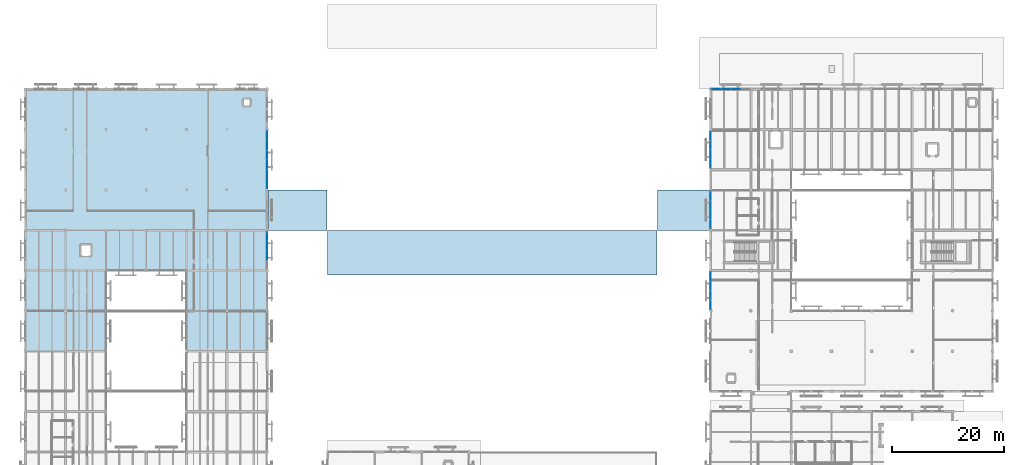
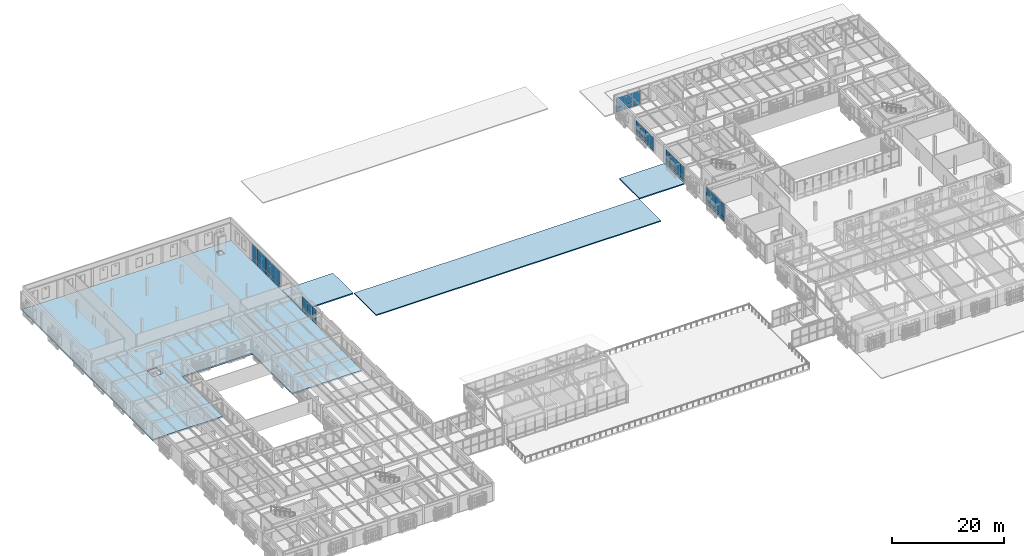
# One storey, part 74 of 112: 48 plates, 4 slabs, 6 elements without a shape of their own.
"""IFC4 building model written with IfcOpenShell, lengths in metres."""

from ifc_helpers import new_model, si_unit, direction, frame, origin, origin_2d, place, context, subcontext, project, spatial, polyline, rectangle, outline, extrude, material, layer, layer_set, type_object, element, aggregate, save


model = new_model("IFC4")

# Units and contexts
model_context = context("Model", 3, precision=1e-05, world=origin(), true_north=direction((0.0, 1.0)))
body_context = subcontext(model_context, "Body", "Model", "MODEL_VIEW")
ifc_project = project(units=[si_unit("LENGTHUNIT", "METRE"), si_unit("AREAUNIT", "SQUARE_METRE"), si_unit("VOLUMEUNIT", "CUBIC_METRE"), si_unit("PLANEANGLEUNIT", "RADIAN"), si_unit("MASSUNIT", "GRAM", prefix="KILO")], contexts=[model_context])

# Site, building, storey
site_placement = place(None, origin())
site = spatial("IfcSite", under=ifc_project, at=site_placement, CompositionType="ELEMENT")
building_placement = place(site_placement, origin())
building = spatial("IfcBuilding", under=site, at=building_placement, Name="Mazaris Harbour Polytechnic", CompositionType="ELEMENT")
storey_placement = place(building_placement, frame((0.0, 0.0, 13.800048828125)))
storey = spatial("IfcBuildingStorey", under=building, at=storey_placement, Name="L03", CompositionType="ELEMENT", Elevation=13.800048828125)

# Slabs
ifc_material_1 = material(Name="Glulam GL28h and Concrete C30/37", Category="concrete")
ifc_layer_1 = layer(ifc_material_1, 0.31005859375, Name="Glulam GL28h and Concrete C30/37")
ifc_layer_set_1 = layer_set([ifc_layer_1], Name="Glulam GL28h and Concrete C30/37")
slab_type_1 = type_object("IfcSlabType", Name="CLT Library Stack Floor 310", PredefinedType="FLOOR", material=ifc_layer_set_1)
slab_1_placement = place(storey_placement, frame((0.0, 0.0, -0.31005859375)))
element("IfcSlab", 1, at=slab_1_placement, inside=storey, type_object=slab_type_1, Name="V4 L03 Floor Slab", PredefinedType="FLOOR", context=body_context, shape_type="SweptSolid", body=[
    extrude(outline(polyline([(43.199951171875, 54.0), (28.800048828125, 54.0), (28.800048828125, 68.39990234375), (14.39990234375, 68.39990234375), (14.39990234375, 54.0), (0.0, 54.0), (0.0, 100.800048828125), (43.199951171875, 100.800048828125), (43.199951171875, 54.0)]), holes=[polyline([(11.800048828125, 70.89990234375), (11.800048828125, 73.10009765625), (9.800048828125, 73.10009765625), (9.800048828125, 70.89990234375), (11.800048828125, 70.89990234375)]), polyline([(38.97998046875, 99.0), (38.97998046875, 97.8798828125), (40.10009765625, 97.8798828125), (40.10009765625, 99.0), (38.97998046875, 99.0)])]), origin(), (0.0, 0.0, 1.0), 0.31005859375),
])
ifc_material_2 = material(Name="Glulam GL28h and Concrete C30/37", Category="concrete")
ifc_layer_2 = layer(ifc_material_2, 0.239990234375, Name="Glulam GL28h and Concrete C30/37")
ifc_layer_set_2 = layer_set([ifc_layer_2], Name="Glulam GL28h and Concrete C30/37")
slab_type_2 = type_object("IfcSlabType", Name="Insulated Flat Roof Slab 240", PredefinedType="ROOF", material=ifc_layer_set_2)
slab_2_placement = place(storey_placement, frame((0.0, 0.0, -0.239990234375)))
element("IfcSlab", 2, at=slab_2_placement, inside=storey, type_object=slab_type_2, Name="PB-W2 Covered Passage Roof", PredefinedType="ROOF", context=body_context, shape_type="SweptSolid", body=[
    extrude(outline(polyline([(53.85009765625, 75.60009765625), (53.85009765625, 82.800048828125), (43.35009765625, 82.800048828125), (43.35009765625, 75.60009765625), (53.85009765625, 75.60009765625)])), origin(), (0.0, 0.0, 1.0), 0.239990234375),
])
slab_3_placement = place(storey_placement, frame((0.0, 0.0, -0.239990234375)))
element("IfcSlab", 3, at=slab_3_placement, inside=storey, type_object=slab_type_2, Name="PB-E2 Covered Passage Roof", PredefinedType="ROOF", context=body_context, shape_type="SweptSolid", body=[
    extrude(outline(polyline([(122.25, 75.60009765625), (122.25, 82.800048828125), (112.949951171875, 82.800048828125), (112.949951171875, 75.60009765625), (122.25, 75.60009765625)])), origin(), (0.0, 0.0, 1.0), 0.239990234375),
])

# Curtain wall, plates
ifc_material_3 = material(Name="Anodised Bronze Aluminium and Low-E Glass", Category="aluminium")
ifc_layer_3 = layer(ifc_material_3, 0.159912109375, Name="Anodised Bronze Aluminium and Low-E Glass")
ifc_layer_set_3 = layer_set([ifc_layer_3], Name="Anodised Bronze Aluminium and Low-E Glass")
curtain_wall_type_1 = type_object("IfcCurtainWallType", Name="Cloister Court Curtain Wall", PredefinedType="NOTDEFINED", material=ifc_layer_set_3)
curtain_wall_1_placement = place(storey_placement, origin())
curtain_wall_1 = element("IfcCurtainWall", 4, at=curtain_wall_1_placement, inside=storey, type_object=curtain_wall_type_1, Name="V4 L03 Curtain Wall 148", PredefinedType="NOTDEFINED")
ifc_material_4 = material(Name="Low-E Double Glazing", Category="glass")
ifc_layer_4 = layer(ifc_material_4, 0.028076171875, Name="Low-E Double Glazing")
ifc_layer_set_4 = layer_set([ifc_layer_4], Name="Low-E Double Glazing")
plate_type_1 = type_object("IfcPlateType", Name="Low-E Vision Glass Panel 28", PredefinedType="CURTAIN_PANEL", material=ifc_layer_set_4)
plate_1_placement = place(storey_placement, frame((43.199951171875, 74.49609375, 0.079833984375), z_axis=(0.0, 0.0, 1.0), x_axis=(0.0, -1.0, 0.0)))
plate_1 = element("IfcPlate", 5, at=plate_1_placement, type_object=plate_type_1, Name="CW-02 panel 1.1", PredefinedType="CURTAIN_PANEL", context=body_context, shape_type="SweptSolid", body=[
    extrude(rectangle(XDim=1.56396484375, YDim=0.028076171875, at=origin_2d()), origin(), (0.0, 0.0, 1.0), 0.830078125),
])
plate_2_placement = place(storey_placement, frame((43.199951171875, 74.49609375, 0.98974609375), z_axis=(0.0, 0.0, 1.0), x_axis=(0.0, -1.0, 0.0)))
plate_2 = element("IfcPlate", 6, at=plate_2_placement, type_object=plate_type_1, Name="CW-02 panel 1.2", PredefinedType="CURTAIN_PANEL", context=body_context, shape_type="SweptSolid", body=[
    extrude(rectangle(XDim=1.56396484375, YDim=0.028076171875, at=origin_2d()), origin(), (0.0, 0.0, 1.0), 2.260009765625),
])
plate_3_placement = place(storey_placement, frame((43.199951171875, 72.83203125, 0.079833984375), z_axis=(0.0, 0.0, 1.0), x_axis=(0.0, -1.0, 0.0)))
plate_3 = element("IfcPlate", 7, at=plate_3_placement, type_object=plate_type_1, Name="CW-02 panel 2.1", PredefinedType="CURTAIN_PANEL", context=body_context, shape_type="SweptSolid", body=[
    extrude(rectangle(XDim=1.60400390625, YDim=0.028076171875, at=origin_2d()), origin(), (0.0, 0.0, 1.0), 0.830078125),
])
plate_4_placement = place(storey_placement, frame((43.199951171875, 72.83203125, 0.98974609375), z_axis=(0.0, 0.0, 1.0), x_axis=(0.0, -1.0, 0.0)))
plate_4 = element("IfcPlate", 8, at=plate_4_placement, type_object=plate_type_1, Name="CW-02 panel 2.2", PredefinedType="CURTAIN_PANEL", context=body_context, shape_type="SweptSolid", body=[
    extrude(rectangle(XDim=1.60400390625, YDim=0.028076171875, at=origin_2d()), origin(), (0.0, 0.0, 1.0), 2.260009765625),
])
plate_5_placement = place(storey_placement, frame((43.199951171875, 71.14794921875, 0.079833984375), z_axis=(0.0, 0.0, 1.0), x_axis=(0.0, -1.0, 0.0)))
plate_5 = element("IfcPlate", 9, at=plate_5_placement, type_object=plate_type_1, Name="CW-02 panel 3.1", PredefinedType="CURTAIN_PANEL", context=body_context, shape_type="SweptSolid", body=[
    extrude(rectangle(XDim=1.60400390625, YDim=0.028076171875, at=origin_2d()), origin(), (0.0, 0.0, 1.0), 0.830078125),
])
plate_6_placement = place(storey_placement, frame((43.199951171875, 71.14794921875, 0.98974609375), z_axis=(0.0, 0.0, 1.0), x_axis=(0.0, -1.0, 0.0)))
plate_6 = element("IfcPlate", 10, at=plate_6_placement, type_object=plate_type_1, Name="CW-02 panel 3.2", PredefinedType="CURTAIN_PANEL", context=body_context, shape_type="SweptSolid", body=[
    extrude(rectangle(XDim=1.60400390625, YDim=0.028076171875, at=origin_2d()), origin(), (0.0, 0.0, 1.0), 2.260009765625),
])
aggregate(curtain_wall_1, [plate_1, plate_2, plate_3, plate_4, plate_5, plate_6])

curtain_wall_2_placement = place(storey_placement, origin())
curtain_wall_2 = element("IfcCurtainWall", 11, at=curtain_wall_2_placement, inside=storey, type_object=curtain_wall_type_1, Name="V4 L03 Curtain Wall 149", PredefinedType="NOTDEFINED")
plate_7_placement = place(storey_placement, frame((43.199951171875, 92.459228515625, 0.079833984375), z_axis=(0.0, 0.0, 1.0), x_axis=(0.0, -1.0, 0.0)))
plate_7 = element("IfcPlate", 12, at=plate_7_placement, type_object=plate_type_1, Name="CW-02 panel 1.1", PredefinedType="CURTAIN_PANEL", context=body_context, shape_type="SweptSolid", body=[
    extrude(rectangle(XDim=1.59765625, YDim=0.028076171875, at=origin_2d()), origin(), (0.0, 0.0, 1.0), 0.830078125),
])
plate_8_placement = place(storey_placement, frame((43.199951171875, 92.459228515625, 0.989990234375), z_axis=(0.0, 0.0, 1.0), x_axis=(0.0, -1.0, 0.0)))
plate_8 = element("IfcPlate", 13, at=plate_8_placement, type_object=plate_type_1, Name="CW-02 panel 1.2", PredefinedType="CURTAIN_PANEL", context=body_context, shape_type="SweptSolid", body=[
    extrude(rectangle(XDim=1.59765625, YDim=0.028076171875, at=origin_2d()), origin(), (0.0, 0.0, 1.0), 2.85009765625),
])
plate_9_placement = place(storey_placement, frame((43.199951171875, 90.761474609375, 0.079833984375), z_axis=(0.0, 0.0, 1.0), x_axis=(0.0, -1.0, 0.0)))
plate_9 = element("IfcPlate", 14, at=plate_9_placement, type_object=plate_type_1, Name="CW-02 panel 2.1", PredefinedType="CURTAIN_PANEL", context=body_context, shape_type="SweptSolid", body=[
    extrude(rectangle(XDim=1.6376953125, YDim=0.028076171875, at=origin_2d()), origin(), (0.0, 0.0, 1.0), 0.830078125),
])
plate_10_placement = place(storey_placement, frame((43.199951171875, 90.761474609375, 0.989990234375), z_axis=(0.0, 0.0, 1.0), x_axis=(0.0, -1.0, 0.0)))
plate_10 = element("IfcPlate", 15, at=plate_10_placement, type_object=plate_type_1, Name="CW-02 panel 2.2", PredefinedType="CURTAIN_PANEL", context=body_context, shape_type="SweptSolid", body=[
    extrude(rectangle(XDim=1.6376953125, YDim=0.028076171875, at=origin_2d()), origin(), (0.0, 0.0, 1.0), 2.85009765625),
])
plate_11_placement = place(storey_placement, frame((43.199951171875, 89.0439453125, 0.079833984375), z_axis=(0.0, 0.0, 1.0), x_axis=(0.0, -1.0, 0.0)))
plate_11 = element("IfcPlate", 16, at=plate_11_placement, type_object=plate_type_1, Name="CW-02 panel 3.1", PredefinedType="CURTAIN_PANEL", context=body_context, shape_type="SweptSolid", body=[
    extrude(rectangle(XDim=1.6376953125, YDim=0.028076171875, at=origin_2d()), origin(), (0.0, 0.0, 1.0), 0.830078125),
])
plate_12_placement = place(storey_placement, frame((43.199951171875, 89.0439453125, 0.989990234375), z_axis=(0.0, 0.0, 1.0), x_axis=(0.0, -1.0, 0.0)))
plate_12 = element("IfcPlate", 17, at=plate_12_placement, type_object=plate_type_1, Name="CW-02 panel 3.2", PredefinedType="CURTAIN_PANEL", context=body_context, shape_type="SweptSolid", body=[
    extrude(rectangle(XDim=1.6376953125, YDim=0.028076171875, at=origin_2d()), origin(), (0.0, 0.0, 1.0), 2.85009765625),
])
plate_13_placement = place(storey_placement, frame((43.199951171875, 87.326171875, 0.079833984375), z_axis=(0.0, 0.0, 1.0), x_axis=(0.0, -1.0, 0.0)))
plate_13 = element("IfcPlate", 18, at=plate_13_placement, type_object=plate_type_1, Name="CW-02 panel 4.1", PredefinedType="CURTAIN_PANEL", context=body_context, shape_type="SweptSolid", body=[
    extrude(rectangle(XDim=1.6376953125, YDim=0.028076171875, at=origin_2d()), origin(), (0.0, 0.0, 1.0), 0.830078125),
])
plate_14_placement = place(storey_placement, frame((43.199951171875, 87.326171875, 0.989990234375), z_axis=(0.0, 0.0, 1.0), x_axis=(0.0, -1.0, 0.0)))
plate_14 = element("IfcPlate", 19, at=plate_14_placement, type_object=plate_type_1, Name="CW-02 panel 4.2", PredefinedType="CURTAIN_PANEL", context=body_context, shape_type="SweptSolid", body=[
    extrude(rectangle(XDim=1.6376953125, YDim=0.028076171875, at=origin_2d()), origin(), (0.0, 0.0, 1.0), 2.85009765625),
])
plate_15_placement = place(storey_placement, frame((43.199951171875, 85.6083984375, 0.079833984375), z_axis=(0.0, 0.0, 1.0), x_axis=(0.0, -1.0, 0.0)))
plate_15 = element("IfcPlate", 20, at=plate_15_placement, type_object=plate_type_1, Name="CW-02 panel 5.1", PredefinedType="CURTAIN_PANEL", context=body_context, shape_type="SweptSolid", body=[
    extrude(rectangle(XDim=1.6376953125, YDim=0.028076171875, at=origin_2d()), origin(), (0.0, 0.0, 1.0), 0.830078125),
])
plate_16_placement = place(storey_placement, frame((43.199951171875, 85.6083984375, 0.989990234375), z_axis=(0.0, 0.0, 1.0), x_axis=(0.0, -1.0, 0.0)))
plate_16 = element("IfcPlate", 21, at=plate_16_placement, type_object=plate_type_1, Name="CW-02 panel 5.2", PredefinedType="CURTAIN_PANEL", context=body_context, shape_type="SweptSolid", body=[
    extrude(rectangle(XDim=1.6376953125, YDim=0.028076171875, at=origin_2d()), origin(), (0.0, 0.0, 1.0), 2.85009765625),
])
plate_17_placement = place(storey_placement, frame((43.199951171875, 83.910888671875, 0.079833984375), z_axis=(0.0, 0.0, 1.0), x_axis=(0.0, -1.0, 0.0)))
plate_17 = element("IfcPlate", 22, at=plate_17_placement, type_object=plate_type_1, Name="CW-02 panel 6.1", PredefinedType="CURTAIN_PANEL", context=body_context, shape_type="SweptSolid", body=[
    extrude(rectangle(XDim=1.59765625, YDim=0.028076171875, at=origin_2d()), origin(), (0.0, 0.0, 1.0), 0.830078125),
])
plate_18_placement = place(storey_placement, frame((43.199951171875, 83.910888671875, 0.989990234375), z_axis=(0.0, 0.0, 1.0), x_axis=(0.0, -1.0, 0.0)))
plate_18 = element("IfcPlate", 23, at=plate_18_placement, type_object=plate_type_1, Name="CW-02 panel 6.2", PredefinedType="CURTAIN_PANEL", context=body_context, shape_type="SweptSolid", body=[
    extrude(rectangle(XDim=1.59765625, YDim=0.028076171875, at=origin_2d()), origin(), (0.0, 0.0, 1.0), 2.85009765625),
])
aggregate(curtain_wall_2, [plate_7, plate_8, plate_9, plate_10, plate_11, plate_12, plate_13, plate_14, plate_15, plate_16, plate_17, plate_18])

# Slab
ifc_material_5 = material(Name="Glulam GL28h", Category="wood")
ifc_layer_5 = layer(ifc_material_5, 0.219970703125, Name="Glulam GL28h")
ifc_layer_set_5 = layer_set([ifc_layer_5], Name="Glulam GL28h")
slab_type_3 = type_object("IfcSlabType", Name="Pitched Workshop Roof Deck 220", PredefinedType="ROOF", material=ifc_layer_set_5)
slab_4_placement = place(storey_placement, frame((0.0, 0.0, -0.219970703125)))
element("IfcSlab", 24, at=slab_4_placement, inside=storey, type_object=slab_type_3, Name="V1 South 8m Overhanging Eave", PredefinedType="ROOF", context=body_context, shape_type="SweptSolid", body=[
    extrude(outline(polyline([(112.800048828125, 67.64990234375), (112.800048828125, 75.56005859375), (54.0, 75.56005859375), (54.0, 67.64990234375), (112.800048828125, 67.64990234375)])), origin(), (0.0, 0.0, 1.0), 0.219970703125),
])

# Curtain wall, plates
ifc_material_6 = material(Name="Anodised Bronze Aluminium and Low-E Glass", Category="aluminium")
ifc_layer_6 = layer(ifc_material_6, 0.169921875, Name="Anodised Bronze Aluminium and Low-E Glass")
ifc_layer_set_6 = layer_set([ifc_layer_6], Name="Anodised Bronze Aluminium and Low-E Glass")
curtain_wall_type_2 = type_object("IfcCurtainWallType", Name="Studio North-Light Curtain Wall", PredefinedType="NOTDEFINED", material=ifc_layer_set_6)
curtain_wall_3_placement = place(storey_placement, origin())
curtain_wall_3 = element("IfcCurtainWall", 25, at=curtain_wall_3_placement, inside=storey, type_object=curtain_wall_type_2, Name="V5 L03 Curtain Wall 249", PredefinedType="NOTDEFINED")
ifc_material_7 = material(Name="Solar-Control Low-E Glazing", Category="glass")
ifc_layer_7 = layer(ifc_material_7, 0.031982421875, Name="Solar-Control Low-E Glazing")
ifc_layer_set_7 = layer_set([ifc_layer_7], Name="Solar-Control Low-E Glazing")
plate_type_2 = type_object("IfcPlateType", Name="Solar Control Studio Glass Panel 32", PredefinedType="CURTAIN_PANEL", material=ifc_layer_set_7)
plate_19_placement = place(storey_placement, frame((123.43896484375, 100.800048828125, 0.079833984375), z_axis=(0.0, 0.0, 1.0), x_axis=(1.0, 0.0, 0.0)))
plate_19 = element("IfcPlate", 26, at=plate_19_placement, type_object=plate_type_2, Name="CW-03 panel 1.1", PredefinedType="CURTAIN_PANEL", context=body_context, shape_type="SweptSolid", body=[
    extrude(rectangle(XDim=1.593994140625, YDim=0.031982421875, at=origin_2d()), origin(), (0.0, 0.0, 1.0), 0.830078125),
])
plate_20_placement = place(storey_placement, frame((123.43896484375, 100.800048828125, 0.98974609375), z_axis=(0.0, 0.0, 1.0), x_axis=(1.0, 0.0, 0.0)))
plate_20 = element("IfcPlate", 27, at=plate_20_placement, type_object=plate_type_2, Name="CW-03 panel 1.2", PredefinedType="CURTAIN_PANEL", context=body_context, shape_type="SweptSolid", body=[
    extrude(rectangle(XDim=1.593994140625, YDim=0.031982421875, at=origin_2d()), origin(), (0.0, 0.0, 1.0), 2.175048828125),
])
plate_21_placement = place(storey_placement, frame((125.133056640625, 100.800048828125, 0.079833984375), z_axis=(0.0, 0.0, 1.0), x_axis=(1.0, 0.0, 0.0)))
plate_21 = element("IfcPlate", 28, at=plate_21_placement, type_object=plate_type_2, Name="CW-03 panel 2.1", PredefinedType="CURTAIN_PANEL", context=body_context, shape_type="SweptSolid", body=[
    extrude(rectangle(XDim=1.634033203125, YDim=0.031982421875, at=origin_2d()), origin(), (0.0, 0.0, 1.0), 0.830078125),
])
plate_22_placement = place(storey_placement, frame((125.133056640625, 100.800048828125, 0.98974609375), z_axis=(0.0, 0.0, 1.0), x_axis=(1.0, 0.0, 0.0)))
plate_22 = element("IfcPlate", 29, at=plate_22_placement, type_object=plate_type_2, Name="CW-03 panel 2.2", PredefinedType="CURTAIN_PANEL", context=body_context, shape_type="SweptSolid", body=[
    extrude(rectangle(XDim=1.634033203125, YDim=0.031982421875, at=origin_2d()), origin(), (0.0, 0.0, 1.0), 2.175048828125),
])
plate_23_placement = place(storey_placement, frame((126.846923828125, 100.800048828125, 0.079833984375), z_axis=(0.0, 0.0, 1.0), x_axis=(1.0, 0.0, 0.0)))
plate_23 = element("IfcPlate", 30, at=plate_23_placement, type_object=plate_type_2, Name="CW-03 panel 3.1", PredefinedType="CURTAIN_PANEL", context=body_context, shape_type="SweptSolid", body=[
    extrude(rectangle(XDim=1.634033203125, YDim=0.031982421875, at=origin_2d()), origin(), (0.0, 0.0, 1.0), 0.830078125),
])
plate_24_placement = place(storey_placement, frame((126.846923828125, 100.800048828125, 0.98974609375), z_axis=(0.0, 0.0, 1.0), x_axis=(1.0, 0.0, 0.0)))
plate_24 = element("IfcPlate", 31, at=plate_24_placement, type_object=plate_type_2, Name="CW-03 panel 3.2", PredefinedType="CURTAIN_PANEL", context=body_context, shape_type="SweptSolid", body=[
    extrude(rectangle(XDim=1.634033203125, YDim=0.031982421875, at=origin_2d()), origin(), (0.0, 0.0, 1.0), 2.175048828125),
])
aggregate(curtain_wall_3, [plate_19, plate_20, plate_21, plate_22, plate_23, plate_24])

curtain_wall_4_placement = place(storey_placement, origin())
curtain_wall_4 = element("IfcCurtainWall", 32, at=curtain_wall_4_placement, inside=storey, type_object=curtain_wall_type_2, Name="V5 L03 Curtain Wall 254", PredefinedType="NOTDEFINED")
plate_25_placement = place(storey_placement, frame((122.39990234375, 62.26904296875, 0.079833984375), z_axis=(0.0, 0.0, 1.0), x_axis=(0.0, 1.0, 0.0)))
plate_25 = element("IfcPlate", 33, at=plate_25_placement, type_object=plate_type_2, Name="CW-03 panel 1.1", PredefinedType="CURTAIN_PANEL", context=body_context, shape_type="SweptSolid", body=[
    extrude(rectangle(XDim=1.573974609375, YDim=0.031982421875, at=origin_2d()), origin(), (0.0, 0.0, 1.0), 0.830078125),
])
plate_26_placement = place(storey_placement, frame((122.39990234375, 62.26904296875, 0.98974609375), z_axis=(0.0, 0.0, 1.0), x_axis=(0.0, 1.0, 0.0)))
plate_26 = element("IfcPlate", 34, at=plate_26_placement, type_object=plate_type_2, Name="CW-03 panel 1.2", PredefinedType="CURTAIN_PANEL", context=body_context, shape_type="SweptSolid", body=[
    extrude(rectangle(XDim=1.573974609375, YDim=0.031982421875, at=origin_2d()), origin(), (0.0, 0.0, 1.0), 2.864990234375),
])
plate_27_placement = place(storey_placement, frame((122.39990234375, 63.943115234375, 0.079833984375), z_axis=(0.0, 0.0, 1.0), x_axis=(0.0, 1.0, 0.0)))
plate_27 = element("IfcPlate", 35, at=plate_27_placement, type_object=plate_type_2, Name="CW-03 panel 2.1", PredefinedType="CURTAIN_PANEL", context=body_context, shape_type="SweptSolid", body=[
    extrude(rectangle(XDim=1.614013671875, YDim=0.031982421875, at=origin_2d()), origin(), (0.0, 0.0, 1.0), 0.830078125),
])
plate_28_placement = place(storey_placement, frame((122.39990234375, 63.943115234375, 0.98974609375), z_axis=(0.0, 0.0, 1.0), x_axis=(0.0, 1.0, 0.0)))
plate_28 = element("IfcPlate", 36, at=plate_28_placement, type_object=plate_type_2, Name="CW-03 panel 2.2", PredefinedType="CURTAIN_PANEL", context=body_context, shape_type="SweptSolid", body=[
    extrude(rectangle(XDim=1.614013671875, YDim=0.031982421875, at=origin_2d()), origin(), (0.0, 0.0, 1.0), 2.864990234375),
])
plate_29_placement = place(storey_placement, frame((122.39990234375, 65.636962890625, 0.079833984375), z_axis=(0.0, 0.0, 1.0), x_axis=(0.0, 1.0, 0.0)))
plate_29 = element("IfcPlate", 37, at=plate_29_placement, type_object=plate_type_2, Name="CW-03 panel 3.1", PredefinedType="CURTAIN_PANEL", context=body_context, shape_type="SweptSolid", body=[
    extrude(rectangle(XDim=1.614013671875, YDim=0.031982421875, at=origin_2d()), origin(), (0.0, 0.0, 1.0), 0.830078125),
])
plate_30_placement = place(storey_placement, frame((122.39990234375, 65.636962890625, 0.98974609375), z_axis=(0.0, 0.0, 1.0), x_axis=(0.0, 1.0, 0.0)))
plate_30 = element("IfcPlate", 38, at=plate_30_placement, type_object=plate_type_2, Name="CW-03 panel 3.2", PredefinedType="CURTAIN_PANEL", context=body_context, shape_type="SweptSolid", body=[
    extrude(rectangle(XDim=1.614013671875, YDim=0.031982421875, at=origin_2d()), origin(), (0.0, 0.0, 1.0), 2.864990234375),
])
plate_31_placement = place(storey_placement, frame((122.39990234375, 67.31103515625, 0.079833984375), z_axis=(0.0, 0.0, 1.0), x_axis=(0.0, 1.0, 0.0)))
plate_31 = element("IfcPlate", 39, at=plate_31_placement, type_object=plate_type_2, Name="CW-03 panel 4.1", PredefinedType="CURTAIN_PANEL", context=body_context, shape_type="SweptSolid", body=[
    extrude(rectangle(XDim=1.573974609375, YDim=0.031982421875, at=origin_2d()), origin(), (0.0, 0.0, 1.0), 0.830078125),
])
plate_32_placement = place(storey_placement, frame((122.39990234375, 67.31103515625, 0.98974609375), z_axis=(0.0, 0.0, 1.0), x_axis=(0.0, 1.0, 0.0)))
plate_32 = element("IfcPlate", 40, at=plate_32_placement, type_object=plate_type_2, Name="CW-03 panel 4.2", PredefinedType="CURTAIN_PANEL", context=body_context, shape_type="SweptSolid", body=[
    extrude(rectangle(XDim=1.573974609375, YDim=0.031982421875, at=origin_2d()), origin(), (0.0, 0.0, 1.0), 2.864990234375),
])
aggregate(curtain_wall_4, [plate_25, plate_26, plate_27, plate_28, plate_29, plate_30, plate_31, plate_32])

curtain_wall_5_placement = place(storey_placement, origin())
curtain_wall_5 = element("IfcCurtainWall", 41, at=curtain_wall_5_placement, inside=storey, type_object=curtain_wall_type_2, Name="V5 L03 Curtain Wall 255", PredefinedType="NOTDEFINED")
plate_33_placement = place(storey_placement, frame((122.39990234375, 76.70263671875, 0.079833984375), z_axis=(0.0, 0.0, 1.0), x_axis=(0.0, 1.0, 0.0)))
plate_33 = element("IfcPlate", 42, at=plate_33_placement, type_object=plate_type_2, Name="CW-03 panel 1.1", PredefinedType="CURTAIN_PANEL", context=body_context, shape_type="SweptSolid", body=[
    extrude(rectangle(XDim=1.5615234375, YDim=0.031982421875, at=origin_2d()), origin(), (0.0, 0.0, 1.0), 0.830078125),
])
plate_34_placement = place(storey_placement, frame((122.39990234375, 76.70263671875, 0.989990234375), z_axis=(0.0, 0.0, 1.0), x_axis=(0.0, 1.0, 0.0)))
plate_34 = element("IfcPlate", 43, at=plate_34_placement, type_object=plate_type_2, Name="CW-03 panel 1.2", PredefinedType="CURTAIN_PANEL", context=body_context, shape_type="SweptSolid", body=[
    extrude(rectangle(XDim=1.5615234375, YDim=0.031982421875, at=origin_2d()), origin(), (0.0, 0.0, 1.0), 2.27490234375),
])
plate_35_placement = place(storey_placement, frame((122.39990234375, 78.3642578125, 0.079833984375), z_axis=(0.0, 0.0, 1.0), x_axis=(0.0, 1.0, 0.0)))
plate_35 = element("IfcPlate", 44, at=plate_35_placement, type_object=plate_type_2, Name="CW-03 panel 2.1", PredefinedType="CURTAIN_PANEL", context=body_context, shape_type="SweptSolid", body=[
    extrude(rectangle(XDim=1.6015625, YDim=0.031982421875, at=origin_2d()), origin(), (0.0, 0.0, 1.0), 0.830078125),
])
plate_36_placement = place(storey_placement, frame((122.39990234375, 78.3642578125, 0.989990234375), z_axis=(0.0, 0.0, 1.0), x_axis=(0.0, 1.0, 0.0)))
plate_36 = element("IfcPlate", 45, at=plate_36_placement, type_object=plate_type_2, Name="CW-03 panel 2.2", PredefinedType="CURTAIN_PANEL", context=body_context, shape_type="SweptSolid", body=[
    extrude(rectangle(XDim=1.6015625, YDim=0.031982421875, at=origin_2d()), origin(), (0.0, 0.0, 1.0), 2.27490234375),
])
plate_37_placement = place(storey_placement, frame((122.39990234375, 80.045654296875, 0.079833984375), z_axis=(0.0, 0.0, 1.0), x_axis=(0.0, 1.0, 0.0)))
plate_37 = element("IfcPlate", 46, at=plate_37_placement, type_object=plate_type_2, Name="CW-03 panel 3.1", PredefinedType="CURTAIN_PANEL", context=body_context, shape_type="SweptSolid", body=[
    extrude(rectangle(XDim=1.6015625, YDim=0.031982421875, at=origin_2d()), origin(), (0.0, 0.0, 1.0), 0.830078125),
])
plate_38_placement = place(storey_placement, frame((122.39990234375, 80.045654296875, 0.989990234375), z_axis=(0.0, 0.0, 1.0), x_axis=(0.0, 1.0, 0.0)))
plate_38 = element("IfcPlate", 47, at=plate_38_placement, type_object=plate_type_2, Name="CW-03 panel 3.2", PredefinedType="CURTAIN_PANEL", context=body_context, shape_type="SweptSolid", body=[
    extrude(rectangle(XDim=1.6015625, YDim=0.031982421875, at=origin_2d()), origin(), (0.0, 0.0, 1.0), 2.27490234375),
])
plate_39_placement = place(storey_placement, frame((122.39990234375, 81.707275390625, 0.079833984375), z_axis=(0.0, 0.0, 1.0), x_axis=(0.0, 1.0, 0.0)))
plate_39 = element("IfcPlate", 48, at=plate_39_placement, type_object=plate_type_2, Name="CW-03 panel 4.1", PredefinedType="CURTAIN_PANEL", context=body_context, shape_type="SweptSolid", body=[
    extrude(rectangle(XDim=1.5615234375, YDim=0.031982421875, at=origin_2d()), origin(), (0.0, 0.0, 1.0), 0.830078125),
])
plate_40_placement = place(storey_placement, frame((122.39990234375, 81.707275390625, 0.989990234375), z_axis=(0.0, 0.0, 1.0), x_axis=(0.0, 1.0, 0.0)))
plate_40 = element("IfcPlate", 49, at=plate_40_placement, type_object=plate_type_2, Name="CW-03 panel 4.2", PredefinedType="CURTAIN_PANEL", context=body_context, shape_type="SweptSolid", body=[
    extrude(rectangle(XDim=1.5615234375, YDim=0.031982421875, at=origin_2d()), origin(), (0.0, 0.0, 1.0), 2.27490234375),
])
aggregate(curtain_wall_5, [plate_33, plate_34, plate_35, plate_36, plate_37, plate_38, plate_39, plate_40])

curtain_wall_6_placement = place(storey_placement, origin())
curtain_wall_6 = element("IfcCurtainWall", 50, at=curtain_wall_6_placement, inside=storey, type_object=curtain_wall_type_2, Name="V5 L03 Curtain Wall 256", PredefinedType="NOTDEFINED")
plate_41_placement = place(storey_placement, frame((122.39990234375, 87.5126953125, 0.079833984375), z_axis=(0.0, 0.0, 1.0), x_axis=(0.0, 1.0, 0.0)))
plate_41 = element("IfcPlate", 51, at=plate_41_placement, type_object=plate_type_2, Name="CW-03 panel 1.1", PredefinedType="CURTAIN_PANEL", context=body_context, shape_type="SweptSolid", body=[
    extrude(rectangle(XDim=1.54150390625, YDim=0.031982421875, at=origin_2d()), origin(), (0.0, 0.0, 1.0), 0.830078125),
])
plate_42_placement = place(storey_placement, frame((122.39990234375, 87.5126953125, 0.98974609375), z_axis=(0.0, 0.0, 1.0), x_axis=(0.0, 1.0, 0.0)))
plate_42 = element("IfcPlate", 52, at=plate_42_placement, type_object=plate_type_2, Name="CW-03 panel 1.2", PredefinedType="CURTAIN_PANEL", context=body_context, shape_type="SweptSolid", body=[
    extrude(rectangle(XDim=1.54150390625, YDim=0.031982421875, at=origin_2d()), origin(), (0.0, 0.0, 1.0), 2.175048828125),
])
plate_43_placement = place(storey_placement, frame((122.39990234375, 89.154296875, 0.079833984375), z_axis=(0.0, 0.0, 1.0), x_axis=(0.0, 1.0, 0.0)))
plate_43 = element("IfcPlate", 53, at=plate_43_placement, type_object=plate_type_2, Name="CW-03 panel 2.1", PredefinedType="CURTAIN_PANEL", context=body_context, shape_type="SweptSolid", body=[
    extrude(rectangle(XDim=1.58154296875, YDim=0.031982421875, at=origin_2d()), origin(), (0.0, 0.0, 1.0), 0.830078125),
])
plate_44_placement = place(storey_placement, frame((122.39990234375, 89.154296875, 0.98974609375), z_axis=(0.0, 0.0, 1.0), x_axis=(0.0, 1.0, 0.0)))
plate_44 = element("IfcPlate", 54, at=plate_44_placement, type_object=plate_type_2, Name="CW-03 panel 2.2", PredefinedType="CURTAIN_PANEL", context=body_context, shape_type="SweptSolid", body=[
    extrude(rectangle(XDim=1.58154296875, YDim=0.031982421875, at=origin_2d()), origin(), (0.0, 0.0, 1.0), 2.175048828125),
])
plate_45_placement = place(storey_placement, frame((122.39990234375, 90.815673828125, 0.079833984375), z_axis=(0.0, 0.0, 1.0), x_axis=(0.0, 1.0, 0.0)))
plate_45 = element("IfcPlate", 55, at=plate_45_placement, type_object=plate_type_2, Name="CW-03 panel 3.1", PredefinedType="CURTAIN_PANEL", context=body_context, shape_type="SweptSolid", body=[
    extrude(rectangle(XDim=1.58154296875, YDim=0.031982421875, at=origin_2d()), origin(), (0.0, 0.0, 1.0), 0.830078125),
])
plate_46_placement = place(storey_placement, frame((122.39990234375, 90.815673828125, 0.98974609375), z_axis=(0.0, 0.0, 1.0), x_axis=(0.0, 1.0, 0.0)))
plate_46 = element("IfcPlate", 56, at=plate_46_placement, type_object=plate_type_2, Name="CW-03 panel 3.2", PredefinedType="CURTAIN_PANEL", context=body_context, shape_type="SweptSolid", body=[
    extrude(rectangle(XDim=1.58154296875, YDim=0.031982421875, at=origin_2d()), origin(), (0.0, 0.0, 1.0), 2.175048828125),
])
plate_47_placement = place(storey_placement, frame((122.39990234375, 92.457275390625, 0.079833984375), z_axis=(0.0, 0.0, 1.0), x_axis=(0.0, 1.0, 0.0)))
plate_47 = element("IfcPlate", 57, at=plate_47_placement, type_object=plate_type_2, Name="CW-03 panel 4.1", PredefinedType="CURTAIN_PANEL", context=body_context, shape_type="SweptSolid", body=[
    extrude(rectangle(XDim=1.54150390625, YDim=0.031982421875, at=origin_2d()), origin(), (0.0, 0.0, 1.0), 0.830078125),
])
plate_48_placement = place(storey_placement, frame((122.39990234375, 92.457275390625, 0.98974609375), z_axis=(0.0, 0.0, 1.0), x_axis=(0.0, 1.0, 0.0)))
plate_48 = element("IfcPlate", 58, at=plate_48_placement, type_object=plate_type_2, Name="CW-03 panel 4.2", PredefinedType="CURTAIN_PANEL", context=body_context, shape_type="SweptSolid", body=[
    extrude(rectangle(XDim=1.54150390625, YDim=0.031982421875, at=origin_2d()), origin(), (0.0, 0.0, 1.0), 2.175048828125),
])
aggregate(curtain_wall_6, [plate_41, plate_42, plate_43, plate_44, plate_45, plate_46, plate_47, plate_48])

save(model, "model.ifc")
